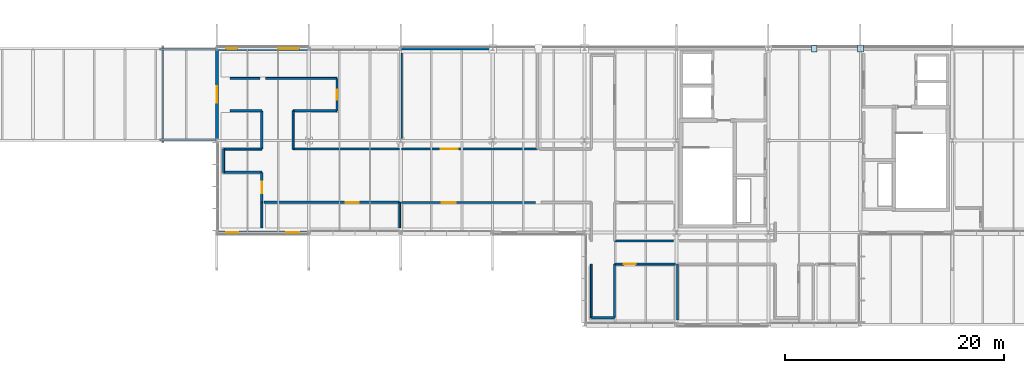
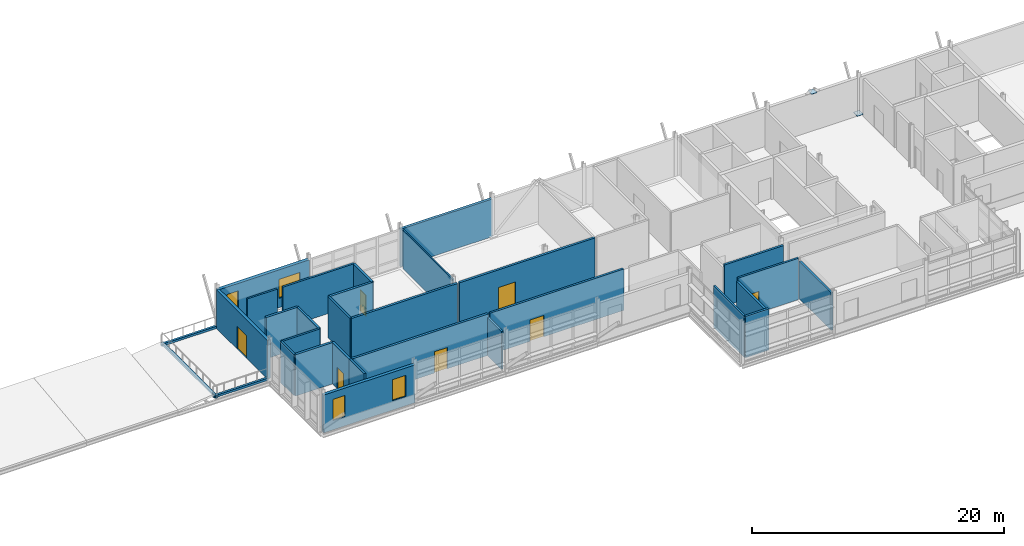
# One storey, part 30 of 35: 31 walls, 7 doors, 4 windows, 2 plates, 11 openings.
"""IFC4 building model written with IfcOpenShell, lengths in metres."""

from ifc_helpers import new_model, si_unit, direction, frame, frame_2d, origin, origin_2d, place, context, subcontext, project, spatial, rectangle, extrude, material, layer, layer_set, type_object, element, fill, save


model = new_model("IFC4")

# Units and contexts
model_context = context("Model", 3, precision=1e-05, world=origin(), true_north=direction((0.0, 1.0)))
body_context = subcontext(model_context, "Body", "Model", "MODEL_VIEW")
ifc_project = project(units=[si_unit("LENGTHUNIT", "METRE"), si_unit("AREAUNIT", "SQUARE_METRE"), si_unit("VOLUMEUNIT", "CUBIC_METRE"), si_unit("PLANEANGLEUNIT", "RADIAN"), si_unit("MASSUNIT", "GRAM", prefix="KILO")], contexts=[model_context])

# Site, building, storey
site_placement = place(None, origin())
site = spatial("IfcSite", under=ifc_project, at=site_placement, CompositionType="ELEMENT")
building_placement = place(site_placement, origin())
building = spatial("IfcBuilding", under=site, at=building_placement, Name="Mersafa Astral City Hall", CompositionType="ELEMENT")
storey_placement = place(building_placement, frame((0.0, 0.0, 30.14990234375)))
storey = spatial("IfcBuildingStorey", under=building, at=storey_placement, Name="L07", CompositionType="ELEMENT", Elevation=30.14990234375)

# Plates
ifc_material_1 = material(Name="Steel S355", Category="steel")
ifc_layer_1 = layer(ifc_material_1, 0.02001953125, Name="Steel S355")
ifc_layer_set_1 = layer_set([ifc_layer_1], Name="Steel S355 — STR-PLT-NP-7")
plate_type_1 = type_object("IfcPlateType", Name="STR-PLT-NP-7", PredefinedType="SHEET", material=ifc_layer_set_1)
plate_1_placement = place(storey_placement, frame((163.800048828125, 126.0, 3.68017578125), z_axis=(0.0, 0.0, 1.0), x_axis=(1.0, 0.0, 0.0)))
element("IfcPlate", 1, at=plate_1_placement, inside=storey, type_object=plate_type_1, Name="L07 Structural steel brace gusset plate NP-7", PredefinedType="SHEET", context=body_context, shape_type="SweptSolid", body=[
    extrude(rectangle(XDim=0.510009765625, YDim=0.580078125, at=origin_2d()), origin(), (0.0, 0.0, 1.0), 0.02001953125),
])
ifc_layer_2 = layer(ifc_material_1, 0.02197265625, Name="Steel S355")
ifc_layer_set_2 = layer_set([ifc_layer_2], Name="Steel S355 — STR-PLT-NP-9")
plate_type_2 = type_object("IfcPlateType", Name="STR-PLT-NP-9", PredefinedType="SHEET", material=ifc_layer_set_2)
plate_2_placement = place(storey_placement, frame((168.001953125, 126.0, 0.109130859375), z_axis=(0.0, 0.0, 1.0), x_axis=(1.0, 0.0, 0.0)))
element("IfcPlate", 2, at=plate_2_placement, inside=storey, type_object=plate_type_2, Name="L07 Structural steel brace gusset plate NP-9", PredefinedType="SHEET", context=body_context, shape_type="SweptSolid", body=[
    extrude(rectangle(XDim=0.56005859375, YDim=0.639892578125, at=origin_2d()), origin(), (0.0, 0.0, 1.0), 0.02197265625),
])

# Wall
ifc_material_2 = material(Name="Precast concrete C40/50 insulated terracotta spandrel", Category="masonry")
ifc_layer_3 = layer(ifc_material_2, 0.235107421875, Name="Precast concrete C40/50 insulated terracotta spandrel")
ifc_layer_set_3 = layer_set([ifc_layer_3], Name="Precast concrete C40/50 insulated terracotta spandrel — ENV-WAL-EXT-235")
wall_type_1 = type_object("IfcWallType", Name="ENV-WAL-EXT-235", PredefinedType="STANDARD", material=ifc_layer_set_3)
wall_1_placement = place(storey_placement, frame((134.39208984375, 126.0, 0.0), z_axis=(0.0, 0.0, 1.0), x_axis=(-1.0, 0.0, 0.0)))
element("IfcWall", 3, at=wall_1_placement, inside=storey, type_object=wall_type_1, Name="L07 Limestone-clad exterior wall 395", PredefinedType="STANDARD", context=body_context, shape_type="SweptSolid", body=[
    extrude(rectangle(XDim=8.384033203125, YDim=0.235107421875, at=frame_2d((4.19189453125, 0.0))), origin(), (0.0, 0.0, 1.0), 3.662109375),
])

# Wall, opening, door
ifc_material_3 = material(Name="Precast concrete C40/50 insulated limestone wall", Category="masonry")
ifc_layer_4 = layer(ifc_material_3, 0.264892578125, Name="Precast concrete C40/50 insulated limestone wall")
ifc_layer_set_4 = layer_set([ifc_layer_4], Name="Precast concrete C40/50 insulated limestone wall — ENV-WAL-EXT-265")
wall_type_2 = type_object("IfcWallType", Name="ENV-WAL-EXT-265", PredefinedType="STANDARD", material=ifc_layer_set_4)
wall_2_placement = place(storey_placement, frame((109.199951171875, 125.85400390625, 0.0), z_axis=(0.0, 0.0, 1.0), x_axis=(0.0, -1.0, 0.0)))
wall_2 = element("IfcWall", 4, at=wall_2_placement, inside=storey, type_object=wall_type_2, Name="L07 Terrace access facade wall TER-L07-V6W", PredefinedType="STANDARD", context=body_context, shape_type="SweptSolid", body=[
    extrude(rectangle(XDim=8.10791015625, YDim=0.264892578125, at=frame_2d((4.053955078125, 0.0))), origin(), (0.0, 0.0, 1.0), 3.752197265625),
])
opening_1_placement = place(wall_2_placement, frame((3.2939453125, 0.0, 0.0)))
opening_1 = element("IfcOpeningElement", 5, at=opening_1_placement, cuts=wall_2, Name="Opening TD-3", PredefinedType="OPENING", context=body_context, shape_type="SweptSolid", body=[
    extrude(rectangle(XDim=1.52001953125, YDim=2.199951171875, at=frame_2d((0.760009765625, 1.10009765625))), frame((0.0, 0.142333984375, 0.0), z_axis=(0.0, -1.0, 0.0), x_axis=(1.0, 0.0, 0.0)), (0.0, 0.0, 1.0), 0.284912109375),
])
ifc_material_4 = material(Name="Anodised bronze glazed terrace door pair", Category="metal")
door_type_1 = type_object("IfcDoorType", Name="ENV-DR-TER-1520", OperationType="NOTDEFINED", PredefinedType="DOOR", material=ifc_material_4)
door_1_placement = place(opening_1_placement, origin())
door_1 = element("IfcDoor", 6, at=door_1_placement, inside=storey, type_object=door_type_1, Name="L07 Civic Roof Terrace Access Door TER-L07-V6W", OperationType="DOUBLE_DOOR_SINGLE_SWING", OverallHeight=2.199951171875, OverallWidth=1.52001953125, PredefinedType="DOOR", context=body_context, shape_type="SweptSolid", body=[
    extrude(rectangle(XDim=1.52001953125, YDim=2.199951171875, at=frame_2d((0.760009765625, 1.10009765625))), frame((0.0, 0.02490234375, 0.0), z_axis=(0.0, -1.0, 0.0), x_axis=(1.0, 0.0, 0.0)), (0.0, 0.0, 1.0), 0.050048828125),
])
fill(opening_1, door_1)

# Wall, openings, windows
ifc_layer_5 = layer(ifc_material_3, 0.280029296875, Name="Precast concrete C40/50 insulated limestone wall")
ifc_layer_set_5 = layer_set([ifc_layer_5], Name="Precast concrete C40/50 insulated limestone wall — ENV-WAL-EXT-280")
wall_type_3 = type_object("IfcWallType", Name="ENV-WAL-EXT-280", PredefinedType="STANDARD", material=ifc_layer_set_5)
wall_3_placement = place(storey_placement, frame((109.2080078125, 109.199951171875, 0.0), z_axis=(0.0, 0.0, 1.0), x_axis=(1.0, 0.0, 0.0)))
wall_3 = element("IfcWall", 7, at=wall_3_placement, inside=storey, type_object=wall_type_3, Name="L07 Limestone-clad exterior wall 398", PredefinedType="STANDARD", context=body_context, shape_type="SweptSolid", body=[
    extrude(rectangle(XDim=8.384033203125, YDim=0.280029296875, at=frame_2d((4.19189453125, 0.0))), origin(), (0.0, 0.0, 1.0), 3.662109375),
])
opening_2_placement = place(wall_3_placement, frame((0.85009765625, 0.0, 0.89990234375)))
opening_2 = element("IfcOpeningElement", 8, at=opening_2_placement, cuts=wall_3, Name="Opening W-52", PredefinedType="OPENING", context=body_context, shape_type="SweptSolid", body=[
    extrude(rectangle(XDim=1.1201171875, YDim=2.050048828125, at=frame_2d((0.56005859375, 1.02490234375))), frame((0.0, 0.14990234375, 0.0), z_axis=(0.0, -1.0, 0.0), x_axis=(1.0, 0.0, 0.0)), (0.0, 0.0, 1.0), 0.300048828125),
])
opening_3_placement = place(wall_3_placement, frame((6.31396484375, 0.0, 0.89990234375)))
opening_3 = element("IfcOpeningElement", 9, at=opening_3_placement, cuts=wall_3, Name="Opening W-53", PredefinedType="OPENING", context=body_context, shape_type="SweptSolid", body=[
    extrude(rectangle(XDim=1.219970703125, YDim=2.050048828125, at=frame_2d((0.60986328125, 1.02490234375))), frame((0.0, 0.14990234375, 0.0), z_axis=(0.0, -1.0, 0.0), x_axis=(1.0, 0.0, 0.0)), (0.0, 0.0, 1.0), 0.300048828125),
])
ifc_material_5 = material(Name="Solar control low-e double glazing in bronze frame", Category="glass")
window_type_1 = type_object("IfcWindowType", Name="ENV-WIN-W-52", PartitioningType="SINGLE_PANEL", PredefinedType="WINDOW", material=ifc_material_5)
window_1_placement = place(opening_2_placement, origin())
window_1 = element("IfcWindow", 10, at=window_1_placement, inside=storey, type_object=window_type_1, Name="L07 Solar punched window 398-L", OverallHeight=2.050048828125, OverallWidth=1.1201171875, PartitioningType="SINGLE_PANEL", PredefinedType="WINDOW", context=body_context, shape_type="SweptSolid", body=[
    extrude(rectangle(XDim=1.1201171875, YDim=2.050048828125, at=frame_2d((0.56005859375, 1.02490234375))), frame((0.0, 0.030029296875, 0.0), z_axis=(0.0, -1.0, 0.0), x_axis=(1.0, 0.0, 0.0)), (0.0, 0.0, 1.0), 0.06005859375),
])
fill(opening_2, window_1)
window_type_2 = type_object("IfcWindowType", Name="ENV-WIN-W-53", PartitioningType="SINGLE_PANEL", PredefinedType="WINDOW", material=ifc_material_5)
window_2_placement = place(opening_3_placement, origin())
window_2 = element("IfcWindow", 11, at=window_2_placement, inside=storey, type_object=window_type_2, Name="L07 Solar punched window 398-R", OverallHeight=2.050048828125, OverallWidth=1.219970703125, PartitioningType="SINGLE_PANEL", PredefinedType="WINDOW", context=body_context, shape_type="SweptSolid", body=[
    extrude(rectangle(XDim=1.219970703125, YDim=2.050048828125, at=frame_2d((0.60986328125, 1.02490234375))), frame((0.0, 0.030029296875, 0.0), z_axis=(0.0, -1.0, 0.0), x_axis=(1.0, 0.0, 0.0)), (0.0, 0.0, 1.0), 0.06005859375),
])
fill(opening_3, window_2)

ifc_layer_6 = layer(ifc_material_3, 0.31005859375, Name="Precast concrete C40/50 insulated limestone wall")
ifc_layer_set_6 = layer_set([ifc_layer_6], Name="Precast concrete C40/50 insulated limestone wall — ENV-WAL-EXT-310")
wall_type_4 = type_object("IfcWallType", Name="ENV-WAL-EXT-310", PredefinedType="STANDARD", material=ifc_layer_set_6)
wall_4_placement = place(storey_placement, frame((117.592041015625, 126.0, 0.0), z_axis=(0.0, 0.0, 1.0), x_axis=(-1.0, 0.0, 0.0)))
wall_4 = element("IfcWall", 12, at=wall_4_placement, inside=storey, type_object=wall_type_4, Name="L07 Limestone-clad exterior wall 396", PredefinedType="STANDARD", context=body_context, shape_type="SweptSolid", body=[
    extrude(rectangle(XDim=8.384033203125, YDim=0.31005859375, at=frame_2d((4.19189453125, 0.0))), origin(), (0.0, 0.0, 1.0), 3.662109375),
])
opening_4_placement = place(wall_4_placement, frame((0.85009765625, 0.0, 0.89990234375)))
opening_4 = element("IfcOpeningElement", 13, at=opening_4_placement, cuts=wall_4, Name="Opening W-50", PredefinedType="OPENING", context=body_context, shape_type="SweptSolid", body=[
    extrude(rectangle(XDim=1.919921875, YDim=1.85009765625, at=frame_2d((0.9599609375, 0.925048828125))), frame((0.0, 0.1650390625, 0.0), z_axis=(0.0, -1.0, 0.0), x_axis=(1.0, 0.0, 0.0)), (0.0, 0.0, 1.0), 0.330078125),
])
opening_5_placement = place(wall_4_placement, frame((6.513916015625, 0.0, 0.89990234375)))
opening_5 = element("IfcOpeningElement", 14, at=opening_5_placement, cuts=wall_4, Name="Opening W-51", PredefinedType="OPENING", context=body_context, shape_type="SweptSolid", body=[
    extrude(rectangle(XDim=1.02001953125, YDim=2.050048828125, at=frame_2d((0.510009765625, 1.02490234375))), frame((0.0, 0.1650390625, 0.0), z_axis=(0.0, -1.0, 0.0), x_axis=(1.0, 0.0, 0.0)), (0.0, 0.0, 1.0), 0.330078125),
])
window_type_3 = type_object("IfcWindowType", Name="ENV-WIN-W-50", PartitioningType="SINGLE_PANEL", PredefinedType="WINDOW", material=ifc_material_5)
window_3_placement = place(opening_4_placement, origin())
window_3 = element("IfcWindow", 15, at=window_3_placement, inside=storey, type_object=window_type_3, Name="L07 Solar punched window 396-L", OverallHeight=1.85009765625, OverallWidth=1.919921875, PartitioningType="SINGLE_PANEL", PredefinedType="WINDOW", context=body_context, shape_type="SweptSolid", body=[
    extrude(rectangle(XDim=1.919921875, YDim=1.85009765625, at=frame_2d((0.9599609375, 0.925048828125))), frame((0.0, 0.030029296875, 0.0), z_axis=(0.0, -1.0, 0.0), x_axis=(1.0, 0.0, 0.0)), (0.0, 0.0, 1.0), 0.06005859375),
])
fill(opening_4, window_3)
window_type_4 = type_object("IfcWindowType", Name="ENV-WIN-W-51", PartitioningType="SINGLE_PANEL", PredefinedType="WINDOW", material=ifc_material_5)
window_4_placement = place(opening_5_placement, origin())
window_4 = element("IfcWindow", 16, at=window_4_placement, inside=storey, type_object=window_type_4, Name="L07 Solar punched window 396-R", OverallHeight=2.050048828125, OverallWidth=1.02001953125, PartitioningType="SINGLE_PANEL", PredefinedType="WINDOW", context=body_context, shape_type="SweptSolid", body=[
    extrude(rectangle(XDim=1.02001953125, YDim=2.050048828125, at=frame_2d((0.510009765625, 1.02490234375))), frame((0.0, 0.030029296875, 0.0), z_axis=(0.0, -1.0, 0.0), x_axis=(1.0, 0.0, 0.0)), (0.0, 0.0, 1.0), 0.06005859375),
])
fill(opening_5, window_4)

# Walls
ifc_material_6 = material(Name="Precast concrete C40/50 parapet", Category="concrete")
ifc_layer_7 = layer(ifc_material_6, 0.199951171875, Name="Precast concrete C40/50 parapet")
ifc_layer_set_7 = layer_set([ifc_layer_7], Name="Precast concrete C40/50 parapet — ENV-WAL-PAR-200")
wall_type_5 = type_object("IfcWallType", Name="ENV-WAL-PAR-200", PredefinedType="PARAPET", material=ifc_layer_set_7)
for number, where, z_axis, x_axis, name in (
    (17, (104.06005859375, 117.669921875, 0.0), (0.0, 0.0, 1.0), (1.0, 0.0, 0.0), "L07 Terrace stone kerb parapet 17"),
    (18, (109.06005859375, 125.929931640625, 0.0), (0.0, 0.0, 1.0), (-1.0, 0.0, 0.0), "L07 Terrace stone kerb parapet 18"),
):
    element("IfcWall", number, at=place(storey_placement, frame(where, z_axis=z_axis, x_axis=x_axis)), inside=storey, type_object=wall_type_5, Name=name, PredefinedType="PARAPET", context=body_context, shape_type="SweptSolid", body=[
        extrude(rectangle(XDim=5.0, YDim=0.199951171875, at=frame_2d((2.5, 0.0))), origin(), (0.0, 0.0, 1.0), 0.22021484375),
    ])
wall_5_placement = place(storey_placement, frame((104.27001953125, 126.139892578125, 0.0), z_axis=(0.0, 0.0, 1.0), x_axis=(0.0, -1.0, 0.0)))
element("IfcWall", 19, at=wall_5_placement, inside=storey, type_object=wall_type_5, Name="L07 Terrace stone kerb parapet 19", PredefinedType="PARAPET", context=body_context, shape_type="SweptSolid", body=[
    extrude(rectangle(XDim=8.679931640625, YDim=0.199951171875, at=frame_2d((4.33984375, 0.0))), origin(), (0.0, 0.0, 1.0), 0.22021484375),
])
ifc_material_7 = material(Name="Acoustic steel-stud gypsum partition", Category="steel")
ifc_layer_8 = layer(ifc_material_7, 0.1201171875, Name="Acoustic steel-stud gypsum partition")
ifc_layer_set_8 = layer_set([ifc_layer_8], Name="Acoustic steel-stud gypsum partition — INT-WAL-PART-EI30-120")
wall_type_6 = type_object("IfcWallType", Name="INT-WAL-PART-EI30-120", PredefinedType="STANDARD", material=ifc_layer_set_8)
wall_6_placement = place(storey_placement, frame((126.090087890625, 117.71484375, -0.00390625), z_axis=(0.0, 0.0, 1.0), x_axis=(0.0, 1.0, 0.0)))
element("IfcWall", 20, at=wall_6_placement, inside=storey, type_object=wall_type_6, Name="L07 Interior partition wall 869", PredefinedType="STANDARD", context=body_context, shape_type="SweptSolid", body=[
    extrude(rectangle(XDim=7.865234375, YDim=0.1201171875, at=frame_2d((3.9326171875, 0.0))), origin(), (0.0, 0.0, 1.0), 3.756103515625),
])
ifc_material_8 = material(Name="Fire-rated gypsum stud partition", Category="gypsum")
ifc_layer_9 = layer(ifc_material_8, 0.1650390625, Name="Fire-rated gypsum stud partition")
ifc_layer_set_9 = layer_set([ifc_layer_9], Name="Fire-rated gypsum stud partition — INT-WAL-PART-EI60-165")
wall_type_7 = type_object("IfcWallType", Name="INT-WAL-PART-EI60-165", PredefinedType="STANDARD", material=ifc_layer_set_9)
wall_7_placement = place(storey_placement, frame((116.169921875, 116.820068359375, -0.00390625), z_axis=(0.0, 0.0, 1.0), x_axis=(0.0, 1.0, 0.0)))
element("IfcWall", 21, at=wall_7_placement, inside=storey, type_object=wall_type_7, Name="L07 Interior partition wall 875", PredefinedType="STANDARD", context=body_context, shape_type="SweptSolid", body=[
    extrude(rectangle(XDim=3.5, YDim=0.1650390625, at=frame_2d((1.75, 0.0))), origin(), (0.0, 0.0, 1.0), 4.00390625),
])
wall_8_placement = place(storey_placement, frame((113.139892578125, 123.280029296875, -0.00390625), z_axis=(0.0, 0.0, 1.0), x_axis=(-1.0, 0.0, 0.0)))
element("IfcWall", 22, at=wall_8_placement, inside=storey, type_object=wall_type_7, Name="L07 Interior partition wall 879", PredefinedType="STANDARD", context=body_context, shape_type="SweptSolid", body=[
    extrude(rectangle(XDim=2.73291015625, YDim=0.1650390625, at=frame_2d((1.366455078125, 0.0))), origin(), (0.0, 0.0, 1.0), 4.00390625),
])
wall_9_placement = place(storey_placement, frame((109.820068359375, 116.820068359375, -0.00390625), z_axis=(0.0, 0.0, 1.0), x_axis=(0.0, -1.0, 0.0)))
element("IfcWall", 23, at=wall_9_placement, inside=storey, type_object=wall_type_7, Name="L07 Interior partition wall 891", PredefinedType="STANDARD", context=body_context, shape_type="SweptSolid", body=[
    extrude(rectangle(XDim=2.1201171875, YDim=0.1650390625, at=frame_2d((1.06005859375, 0.0))), origin(), (0.0, 0.0, 1.0), 4.00390625),
])
wall_10_placement = place(storey_placement, frame((143.419921875, 106.300048828125, -0.00390625), z_axis=(0.0, 0.0, 1.0), x_axis=(0.0, -1.0, 0.0)))
element("IfcWall", 24, at=wall_10_placement, inside=storey, type_object=wall_type_7, Name="L07 Interior partition wall 895", PredefinedType="STANDARD", context=body_context, shape_type="SweptSolid", body=[
    extrude(rectangle(XDim=4.880126953125, YDim=0.1650390625, at=frame_2d((2.43994140625, 0.0))), origin(), (0.0, 0.0, 1.0), 4.00390625),
])
wall_11_placement = place(storey_placement, frame((125.909912109375, 111.949951171875, -0.00390625), z_axis=(0.0, 0.0, 1.0), x_axis=(0.0, -1.0, 0.0)))
element("IfcWall", 25, at=wall_11_placement, inside=storey, type_object=wall_type_7, Name="L07 Interior partition wall 899", PredefinedType="STANDARD", context=body_context, shape_type="SweptSolid", body=[
    extrude(rectangle(XDim=2.329833984375, YDim=0.1650390625, at=frame_2d((1.1650390625, 0.0))), origin(), (0.0, 0.0, 1.0), 3.666015625),
])
ifc_material_9 = material(Name="Acoustic twin-stud gypsum partition", Category="gypsum")
ifc_layer_10 = layer(ifc_material_9, 0.179931640625, Name="Acoustic twin-stud gypsum partition")
ifc_layer_set_10 = layer_set([ifc_layer_10], Name="Acoustic twin-stud gypsum partition — INT-WAL-PART-EI60-180")
wall_type_8 = type_object("IfcWallType", Name="INT-WAL-PART-EI60-180", PredefinedType="STANDARD", material=ifc_layer_set_10)
wall_12_placement = place(storey_placement, frame((120.179931640625, 123.280029296875, -0.00390625), z_axis=(0.0, 0.0, 1.0), x_axis=(-1.0, 0.0, 0.0)))
element("IfcWall", 26, at=wall_12_placement, inside=storey, type_object=wall_type_8, Name="L07 Interior partition wall 878", PredefinedType="STANDARD", context=body_context, shape_type="SweptSolid", body=[
    extrude(rectangle(XDim=6.52001953125, YDim=0.179931640625, at=frame_2d((3.260009765625, 0.0))), origin(), (0.0, 0.0, 1.0), 4.00390625),
])
wall_13_placement = place(storey_placement, frame((113.31005859375, 116.820068359375, -0.00390625), z_axis=(0.0, 0.0, 1.0), x_axis=(-1.0, 0.0, 0.0)))
element("IfcWall", 27, at=wall_13_placement, inside=storey, type_object=wall_type_8, Name="L07 Interior partition wall 890", PredefinedType="STANDARD", context=body_context, shape_type="SweptSolid", body=[
    extrude(rectangle(XDim=3.489990234375, YDim=0.179931640625, at=frame_2d((1.7451171875, 0.0))), origin(), (0.0, 0.0, 1.0), 4.00390625),
])
wall_14_placement = place(storey_placement, frame((113.31005859375, 111.949951171875, -0.00390625), z_axis=(0.0, 0.0, 1.0), x_axis=(0.0, -1.0, 0.0)))
element("IfcWall", 28, at=wall_14_placement, inside=storey, type_object=wall_type_8, Name="L07 Interior partition wall 894", PredefinedType="STANDARD", context=body_context, shape_type="SweptSolid", body=[
    extrude(rectangle(XDim=2.329833984375, YDim=0.179931640625, at=frame_2d((1.1650390625, 0.0))), origin(), (0.0, 0.0, 1.0), 4.00390625),
])

# Wall, opening, door
wall_15_placement = place(storey_placement, frame((145.5400390625, 106.300048828125, -0.00390625), z_axis=(0.0, 0.0, 1.0), x_axis=(1.0, 0.0, 0.0)))
wall_15 = element("IfcWall", 29, at=wall_15_placement, inside=storey, type_object=wall_type_8, Name="L07 Interior partition wall 898", PredefinedType="STANDARD", context=body_context, shape_type="SweptSolid", body=[
    extrude(rectangle(XDim=5.570068359375, YDim=0.179931640625, at=frame_2d((2.78515625, 0.0))), origin(), (0.0, 0.0, 1.0), 4.00390625),
])
opening_6_placement = place(wall_15_placement, frame((0.842529296875, 0.0, 0.0)))
opening_6 = element("IfcOpeningElement", 30, at=opening_6_placement, cuts=wall_15, Name="Opening D-04", PredefinedType="OPENING", context=body_context, shape_type="SweptSolid", body=[
    extrude(rectangle(XDim=1.10009765625, YDim=2.06005859375, at=frame_2d((0.550048828125, 1.030029296875))), frame((0.0, 0.099853515625, 0.0), z_axis=(0.0, -1.0, 0.0), x_axis=(1.0, 0.0, 0.0)), (0.0, 0.0, 1.0), 0.199951171875),
])
ifc_material_10 = material(Name="Cedar veneered acoustic fire-rated timber door", Category="wood")
door_type_2 = type_object("IfcDoorType", Name="INT-DR-RM-D-04", OperationType="NOTDEFINED", PredefinedType="DOOR", material=ifc_material_10)
door_2_placement = place(opening_6_placement, origin())
door_2 = element("IfcDoor", 31, at=door_2_placement, inside=storey, type_object=door_type_2, Name="L07 Public Restroom L07-07 Entrance Door", OperationType="SINGLE_SWING_RIGHT", OverallHeight=2.06005859375, OverallWidth=1.10009765625, PredefinedType="DOOR", context=body_context, shape_type="SweptSolid", body=[
    extrude(rectangle(XDim=1.10009765625, YDim=2.06005859375, at=frame_2d((0.550048828125, 1.030029296875))), frame((0.0, 0.02490234375, 0.0), z_axis=(0.0, -1.0, 0.0), x_axis=(1.0, 0.0, 0.0)), (0.0, 0.0, 1.0), 0.050048828125),
])
fill(opening_6, door_2)

ifc_layer_11 = layer(ifc_material_9, 0.195068359375, Name="Acoustic twin-stud gypsum partition")
ifc_layer_set_11 = layer_set([ifc_layer_11], Name="Acoustic twin-stud gypsum partition — INT-WAL-PART-EI60-195")
wall_type_9 = type_object("IfcWallType", Name="INT-WAL-PART-EI60-195", PredefinedType="STANDARD", material=ifc_layer_set_11)
wall_16_placement = place(storey_placement, frame((120.179931640625, 120.320068359375, -0.00390625), z_axis=(0.0, 0.0, 1.0), x_axis=(0.0, 1.0, 0.0)))
wall_16 = element("IfcWall", 32, at=wall_16_placement, inside=storey, type_object=wall_type_9, Name="L07 Interior partition wall 877", PredefinedType="STANDARD", context=body_context, shape_type="SweptSolid", body=[
    extrude(rectangle(XDim=2.9599609375, YDim=0.195068359375, at=frame_2d((1.47998046875, 0.0))), origin(), (0.0, 0.0, 1.0), 4.00390625),
])
opening_7_placement = place(wall_16_placement, frame((1.02001953125, 0.0, 0.0)))
opening_7 = element("IfcOpeningElement", 33, at=opening_7_placement, cuts=wall_16, Name="Opening D-01", PredefinedType="OPENING", context=body_context, shape_type="SweptSolid", body=[
    extrude(rectangle(XDim=0.919921875, YDim=2.06005859375, at=frame_2d((0.4599609375, 1.030029296875))), frame((0.0, 0.107421875, 0.0), z_axis=(0.0, -1.0, 0.0), x_axis=(1.0, 0.0, 0.0)), (0.0, 0.0, 1.0), 0.215087890625),
])
door_type_3 = type_object("IfcDoorType", Name="INT-DR-RM-D-01", OperationType="NOTDEFINED", PredefinedType="DOOR", material=ifc_material_10)
door_3_placement = place(opening_7_placement, origin())
door_3 = element("IfcDoor", 34, at=door_3_placement, inside=storey, type_object=door_type_3, Name="L07 Mayoral Constitutional Library L07-04 Entrance Door", OperationType="SINGLE_SWING_LEFT", OverallHeight=2.06005859375, OverallWidth=0.919921875, PredefinedType="DOOR", context=body_context, shape_type="SweptSolid", body=[
    extrude(rectangle(XDim=0.919921875, YDim=2.06005859375, at=frame_2d((0.4599609375, 1.030029296875))), frame((0.0, 0.02490234375, 0.0), z_axis=(0.0, -1.0, 0.0), x_axis=(1.0, 0.0, 0.0)), (0.0, 0.0, 1.0), 0.050048828125),
])
fill(opening_7, door_3)

# Walls
wall_17_placement = place(storey_placement, frame((151.2900390625, 101.219970703125, -0.00390625), z_axis=(0.0, 0.0, 1.0), x_axis=(0.0, 1.0, 0.0)))
element("IfcWall", 35, at=wall_17_placement, inside=storey, type_object=wall_type_9, Name="L07 Interior partition wall 881", PredefinedType="STANDARD", context=body_context, shape_type="SweptSolid", body=[
    extrude(rectangle(XDim=5.080078125, YDim=0.195068359375, at=frame_2d((2.5400390625, 0.0))), origin(), (0.0, 0.0, 1.0), 3.6259765625),
])
wall_18_placement = place(storey_placement, frame((113.31005859375, 120.320068359375, -0.00390625), z_axis=(0.0, 0.0, 1.0), x_axis=(0.0, -1.0, 0.0)))
element("IfcWall", 36, at=wall_18_placement, inside=storey, type_object=wall_type_9, Name="L07 Interior partition wall 889", PredefinedType="STANDARD", context=body_context, shape_type="SweptSolid", body=[
    extrude(rectangle(XDim=3.5, YDim=0.195068359375, at=frame_2d((1.75, 0.0))), origin(), (0.0, 0.0, 1.0), 4.00390625),
])

# Wall, opening, door
wall_19_placement = place(storey_placement, frame((113.31005859375, 114.699951171875, -0.00390625), z_axis=(0.0, 0.0, 1.0), x_axis=(0.0, -1.0, 0.0)))
wall_19 = element("IfcWall", 37, at=wall_19_placement, inside=storey, type_object=wall_type_9, Name="L07 Interior partition wall 893", PredefinedType="STANDARD", context=body_context, shape_type="SweptSolid", body=[
    extrude(rectangle(XDim=2.75, YDim=0.195068359375, at=frame_2d((1.375, 0.0))), origin(), (0.0, 0.0, 1.0), 4.00390625),
])
opening_8_placement = place(wall_19_placement, frame((0.85498046875, 0.0, 0.0)))
opening_8 = element("IfcOpeningElement", 38, at=opening_8_placement, cuts=wall_19, Name="Opening D-03", PredefinedType="OPENING", context=body_context, shape_type="SweptSolid", body=[
    extrude(rectangle(XDim=1.0400390625, YDim=2.06005859375, at=frame_2d((0.52001953125, 1.030029296875))), frame((0.0, 0.107421875, 0.0), z_axis=(0.0, -1.0, 0.0), x_axis=(1.0, 0.0, 0.0)), (0.0, 0.0, 1.0), 0.215087890625),
])
door_type_4 = type_object("IfcDoorType", Name="INT-DR-RM-D-03", OperationType="NOTDEFINED", PredefinedType="DOOR", material=ifc_material_10)
door_4_placement = place(opening_8_placement, origin())
door_4 = element("IfcDoor", 39, at=door_4_placement, inside=storey, type_object=door_type_4, Name="L07 HVAC & Solar Control Room L07-06 Entrance Door", OperationType="SINGLE_SWING_LEFT", OverallHeight=2.06005859375, OverallWidth=1.0400390625, PredefinedType="DOOR", context=body_context, shape_type="SweptSolid", body=[
    extrude(rectangle(XDim=1.0400390625, YDim=2.06005859375, at=frame_2d((0.52001953125, 1.030029296875))), frame((0.0, 0.02490234375, 0.0), z_axis=(0.0, -1.0, 0.0), x_axis=(1.0, 0.0, 0.0)), (0.0, 0.0, 1.0), 0.050048828125),
])
fill(opening_8, door_4)

# Wall
wall_20_placement = place(storey_placement, frame((145.5400390625, 101.419921875, -0.00390625), z_axis=(0.0, 0.0, 1.0), x_axis=(0.0, 1.0, 0.0)))
element("IfcWall", 40, at=wall_20_placement, inside=storey, type_object=wall_type_9, Name="L07 Interior partition wall 897", PredefinedType="STANDARD", context=body_context, shape_type="SweptSolid", body=[
    extrude(rectangle(XDim=4.880126953125, YDim=0.195068359375, at=frame_2d((2.43994140625, 0.0))), origin(), (0.0, 0.0, 1.0), 3.716064453125),
])

# Wall, opening, door
wall_21_placement = place(storey_placement, frame((126.090087890625, 111.949951171875, -0.00390625), z_axis=(0.0, 0.0, 1.0), x_axis=(1.0, 0.0, 0.0)))
wall_21 = element("IfcWall", 41, at=wall_21_placement, inside=storey, type_object=wall_type_9, Name="L07 Interior partition wall 901", PredefinedType="STANDARD", context=body_context, shape_type="SweptSolid", body=[
    extrude(rectangle(XDim=12.25, YDim=0.195068359375, at=frame_2d((6.125, 0.0))), origin(), (0.0, 0.0, 1.0), 4.00390625),
])
opening_9_placement = place(wall_21_placement, frame((3.6474609375, 0.0, 0.0)))
opening_9 = element("IfcOpeningElement", 42, at=opening_9_placement, cuts=wall_21, Name="Opening D-06", PredefinedType="OPENING", context=body_context, shape_type="SweptSolid", body=[
    extrude(rectangle(XDim=1.280029296875, YDim=2.06005859375, at=frame_2d((0.64013671875, 1.030029296875))), frame((0.0, 0.107421875, 0.0), z_axis=(0.0, -1.0, 0.0), x_axis=(1.0, 0.0, 0.0)), (0.0, 0.0, 1.0), 0.215087890625),
])
door_type_5 = type_object("IfcDoorType", Name="INT-DR-RM-D-06", OperationType="NOTDEFINED", PredefinedType="DOOR", material=ifc_material_10)
door_5_placement = place(opening_9_placement, origin())
door_5 = element("IfcDoor", 43, at=door_5_placement, inside=storey, type_object=door_type_5, Name="L07 Metropolitan Strategy Boardroom L07-09 Entrance Door", OperationType="SINGLE_SWING_RIGHT", OverallHeight=2.06005859375, OverallWidth=1.280029296875, PredefinedType="DOOR", context=body_context, shape_type="SweptSolid", body=[
    extrude(rectangle(XDim=1.280029296875, YDim=2.06005859375, at=frame_2d((0.64013671875, 1.030029296875))), frame((0.0, 0.02490234375, 0.0), z_axis=(0.0, -1.0, 0.0), x_axis=(1.0, 0.0, 0.0)), (0.0, 0.0, 1.0), 0.050048828125),
])
fill(opening_9, door_5)

# Wall
wall_22_placement = place(storey_placement, frame((150.93994140625, 108.419921875, -0.00390625), z_axis=(0.0, 0.0, 1.0), x_axis=(-1.0, 0.0, 0.0)))
element("IfcWall", 44, at=wall_22_placement, inside=storey, type_object=wall_type_9, Name="L07 Interior partition wall 909", PredefinedType="STANDARD", context=body_context, shape_type="SweptSolid", body=[
    extrude(rectangle(XDim=5.39990234375, YDim=0.195068359375, at=frame_2d((2.699951171875, 0.0))), origin(), (0.0, 0.0, 1.0), 4.00390625),
])

# Wall, opening, door
ifc_material_11 = material(Name="Autoclaved aerated concrete blockwork plastered", Category="masonry")
ifc_layer_12 = layer(ifc_material_11, 0.2099609375, Name="Autoclaved aerated concrete blockwork plastered")
ifc_layer_set_12 = layer_set([ifc_layer_12], Name="Autoclaved aerated concrete blockwork plastered — INT-WAL-PART-EI60-210")
wall_type_10 = type_object("IfcWallType", Name="INT-WAL-PART-EI60-210", PredefinedType="STANDARD", material=ifc_layer_set_12)
wall_23_placement = place(storey_placement, frame((138.510009765625, 116.820068359375, -0.00390625), z_axis=(0.0, 0.0, 1.0), x_axis=(-1.0, 0.0, 0.0)))
wall_23 = element("IfcWall", 45, at=wall_23_placement, inside=storey, type_object=wall_type_10, Name="L07 Interior partition wall 868", PredefinedType="STANDARD", context=body_context, shape_type="SweptSolid", body=[
    extrude(rectangle(XDim=12.419921875, YDim=0.2099609375, at=frame_2d((6.2099609375, 0.0))), origin(), (0.0, 0.0, 1.0), 4.00390625),
])
opening_10_placement = place(wall_23_placement, frame((7.302978515625, 0.0, 0.0)))
opening_10 = element("IfcOpeningElement", 46, at=opening_10_placement, cuts=wall_23, Name="Opening D-35", PredefinedType="OPENING", context=body_context, shape_type="SweptSolid", body=[
    extrude(rectangle(XDim=1.5400390625, YDim=2.300048828125, at=frame_2d((0.77001953125, 1.14990234375))), frame((0.0, 0.114990234375, 0.0), z_axis=(0.0, -1.0, 0.0), x_axis=(1.0, 0.0, 0.0)), (0.0, 0.0, 1.0), 0.22998046875),
])
door_type_6 = type_object("IfcDoorType", Name="INT-DR-RM-D-35", OperationType="NOTDEFINED", PredefinedType="DOOR", material=ifc_material_10)
door_6_placement = place(opening_10_placement, origin())
door_6 = element("IfcDoor", 47, at=door_6_placement, inside=storey, type_object=door_type_6, Name="L07 Metropolitan Strategy Boardroom L07-02 Entrance Door", OperationType="SINGLE_SWING_LEFT", OverallHeight=2.300048828125, OverallWidth=1.5400390625, PredefinedType="DOOR", context=body_context, shape_type="SweptSolid", body=[
    extrude(rectangle(XDim=1.5400390625, YDim=2.300048828125, at=frame_2d((0.77001953125, 1.14990234375))), frame((0.0, 0.02490234375, 0.0), z_axis=(0.0, -1.0, 0.0), x_axis=(1.0, 0.0, 0.0)), (0.0, 0.0, 1.0), 0.050048828125),
])
fill(opening_10, door_6)

# Walls
wall_24_placement = place(storey_placement, frame((116.169921875, 120.320068359375, -0.00390625), z_axis=(0.0, 0.0, 1.0), x_axis=(1.0, 0.0, 0.0)))
element("IfcWall", 48, at=wall_24_placement, inside=storey, type_object=wall_type_10, Name="L07 Interior partition wall 876", PredefinedType="STANDARD", context=body_context, shape_type="SweptSolid", body=[
    extrude(rectangle(XDim=4.010009765625, YDim=0.2099609375, at=frame_2d((2.0048828125, 0.0))), origin(), (0.0, 0.0, 1.0), 4.00390625),
])
wall_25_placement = place(storey_placement, frame((125.909912109375, 116.820068359375, -0.00390625), z_axis=(0.0, 0.0, 1.0), x_axis=(-1.0, 0.0, 0.0)))
element("IfcWall", 49, at=wall_25_placement, inside=storey, type_object=wall_type_10, Name="L07 Interior partition wall 880", PredefinedType="STANDARD", context=body_context, shape_type="SweptSolid", body=[
    extrude(rectangle(XDim=9.739990234375, YDim=0.2099609375, at=frame_2d((4.8701171875, 0.0))), origin(), (0.0, 0.0, 1.0), 4.00390625),
])
wall_26_placement = place(storey_placement, frame((110.406982421875, 120.320068359375, -0.00390625), z_axis=(0.0, 0.0, 1.0), x_axis=(1.0, 0.0, 0.0)))
element("IfcWall", 50, at=wall_26_placement, inside=storey, type_object=wall_type_10, Name="L07 Interior partition wall 888", PredefinedType="STANDARD", context=body_context, shape_type="SweptSolid", body=[
    extrude(rectangle(XDim=2.903076171875, YDim=0.2099609375, at=frame_2d((1.45166015625, 0.0))), origin(), (0.0, 0.0, 1.0), 4.00390625),
])
wall_27_placement = place(storey_placement, frame((109.820068359375, 114.699951171875, -0.00390625), z_axis=(0.0, 0.0, 1.0), x_axis=(1.0, 0.0, 0.0)))
element("IfcWall", 51, at=wall_27_placement, inside=storey, type_object=wall_type_10, Name="L07 Interior partition wall 892", PredefinedType="STANDARD", context=body_context, shape_type="SweptSolid", body=[
    extrude(rectangle(XDim=3.489990234375, YDim=0.2099609375, at=frame_2d((1.7451171875, 0.0))), origin(), (0.0, 0.0, 1.0), 4.00390625),
])
wall_28_placement = place(storey_placement, frame((143.419921875, 101.419921875, -0.00390625), z_axis=(0.0, 0.0, 1.0), x_axis=(1.0, 0.0, 0.0)))
element("IfcWall", 52, at=wall_28_placement, inside=storey, type_object=wall_type_10, Name="L07 Interior partition wall 896", PredefinedType="STANDARD", context=body_context, shape_type="SweptSolid", body=[
    extrude(rectangle(XDim=2.1201171875, YDim=0.2099609375, at=frame_2d((1.06005859375, 0.0))), origin(), (0.0, 0.0, 1.0), 4.00390625),
])

# Wall, opening, door
wall_29_placement = place(storey_placement, frame((113.489990234375, 111.949951171875, -0.00390625), z_axis=(0.0, 0.0, 1.0), x_axis=(1.0, 0.0, 0.0)))
wall_29 = element("IfcWall", 53, at=wall_29_placement, inside=storey, type_object=wall_type_10, Name="L07 Interior partition wall 900", PredefinedType="STANDARD", context=body_context, shape_type="SweptSolid", body=[
    extrude(rectangle(XDim=12.419921875, YDim=0.2099609375, at=frame_2d((6.2099609375, 0.0))), origin(), (0.0, 0.0, 1.0), 4.00390625),
])
opening_11_placement = place(wall_29_placement, frame((7.48291015625, 0.0, 0.0)))
opening_11 = element("IfcOpeningElement", 54, at=opening_11_placement, cuts=wall_29, Name="Opening D-05", PredefinedType="OPENING", context=body_context, shape_type="SweptSolid", body=[
    extrude(rectangle(XDim=1.179931640625, YDim=2.06005859375, at=frame_2d((0.58984375, 1.030029296875))), frame((0.0, 0.114990234375, 0.0), z_axis=(0.0, -1.0, 0.0), x_axis=(1.0, 0.0, 0.0)), (0.0, 0.0, 1.0), 0.22998046875),
])
door_type_7 = type_object("IfcDoorType", Name="INT-DR-RM-D-05", OperationType="NOTDEFINED", PredefinedType="DOOR", material=ifc_material_10)
door_7_placement = place(opening_11_placement, origin())
door_7 = element("IfcDoor", 55, at=door_7_placement, inside=storey, type_object=door_type_7, Name="L07 Astral Observatory Civic Gallery L07-08 Entrance Door", OperationType="SINGLE_SWING_LEFT", OverallHeight=2.06005859375, OverallWidth=1.179931640625, PredefinedType="DOOR", context=body_context, shape_type="SweptSolid", body=[
    extrude(rectangle(XDim=1.179931640625, YDim=2.06005859375, at=frame_2d((0.58984375, 1.030029296875))), frame((0.0, 0.02490234375, 0.0), z_axis=(0.0, -1.0, 0.0), x_axis=(1.0, 0.0, 0.0)), (0.0, 0.0, 1.0), 0.050048828125),
])
fill(opening_11, door_7)

save(model, "model.ifc")
